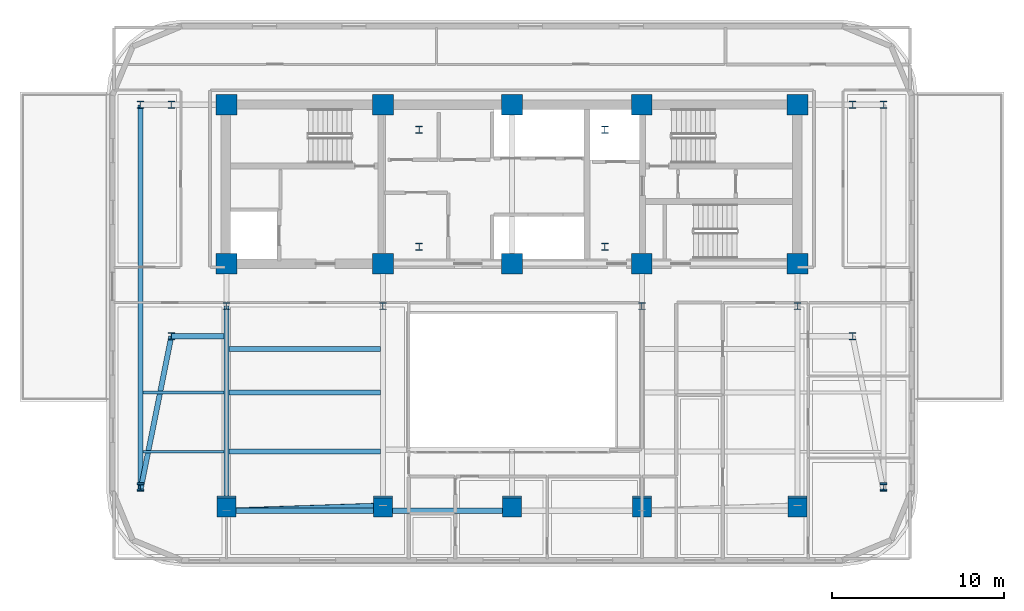
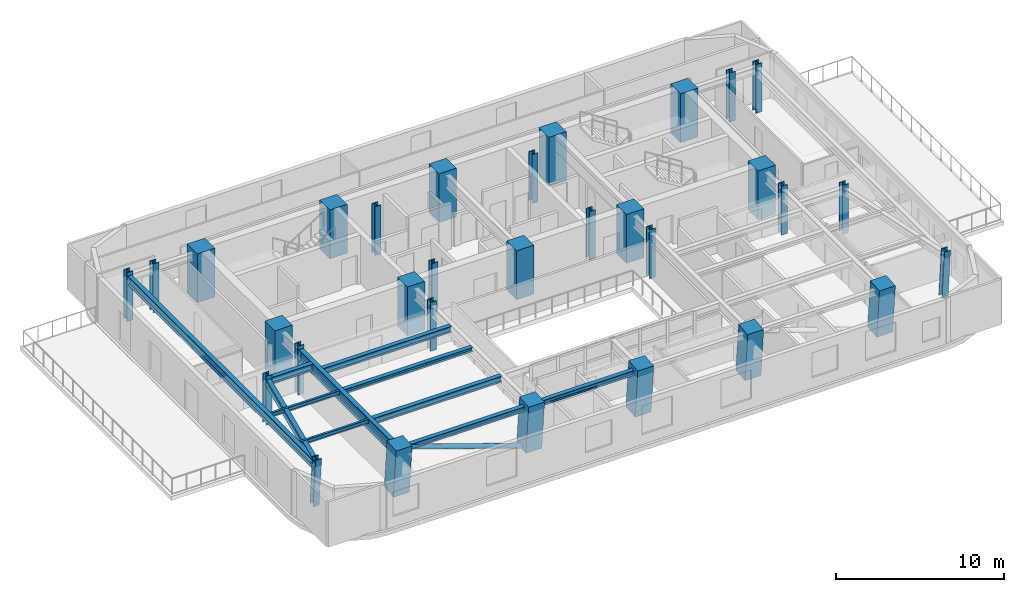
# One storey, part 1 of 13: 31 columns, 11 beams, 1 member.
"""IFC4 building model written with IfcOpenShell, lengths in metres."""

from ifc_helpers import new_model, si_unit, direction, frame, origin, origin_2d, place, context, subcontext, project, spatial, rectangle, hollow_circle, i_section, extrude, material, material_profile, profile_set, type_object, element, save


model = new_model("IFC4")

# Units and contexts
model_context = context("Model", 3, precision=1e-05, world=origin(), true_north=direction((0.0, 1.0)))
body_context = subcontext(model_context, "Body", "Model", "MODEL_VIEW")
ifc_project = project(units=[si_unit("LENGTHUNIT", "METRE"), si_unit("AREAUNIT", "SQUARE_METRE"), si_unit("VOLUMEUNIT", "CUBIC_METRE"), si_unit("PLANEANGLEUNIT", "RADIAN"), si_unit("MASSUNIT", "GRAM", prefix="KILO")], contexts=[model_context])

# Site, building, storey
site_placement = place(None, origin())
site = spatial("IfcSite", under=ifc_project, at=site_placement, CompositionType="ELEMENT")
building_placement = place(site_placement, origin())
building = spatial("IfcBuilding", under=site, at=building_placement, Name="Zarnavel Station Tower", CompositionType="ELEMENT")
storey_placement = place(building_placement, frame((0.0, 0.0, 137.699951171875)))
storey = spatial("IfcBuildingStorey", under=building, at=storey_placement, Name="L37", CompositionType="ELEMENT", Elevation=137.699951171875)

# Columns
ifc_material_1 = material(Name="Steel S355J2", Category="steel")
ifc_material_profile_1 = material_profile(ifc_material_1, i_section(OverallWidth=0.4130859375, OverallDepth=0.4150390625, WebThickness=0.030029296875, FlangeThickness=0.047119140625, FilletRadius=0.014892578125, at=origin_2d()), Name="HD400x347")
ifc_profile_set_1 = profile_set([ifc_material_profile_1], Name="Steel S355J2")
column_type_1 = type_object("IfcColumnType", Name="EC_HD347", PredefinedType="COLUMN", material=ifc_profile_set_1)
column_1_placement = place(storey_placement, frame((7.199951171875, 14.8876953125, 0.0), z_axis=(0.0, -0.079862380324, 0.996805898964), x_axis=(1.0, 0.0, 0.0)))
element("IfcColumn", 1, at=column_1_placement, inside=storey, type_object=column_type_1, Name="L37 Raked Wing Column 1", PredefinedType="COLUMN", context=body_context, shape_type="SweptSolid", body=[
    extrude(i_section(OverallWidth=0.4130859375, OverallDepth=0.4150390625, WebThickness=0.030029296875, FlangeThickness=0.047119140625, FilletRadius=0.014892578125, at=origin_2d()), origin(), (0.0, 0.0, 1.0), 3.5615234375),
])
column_2_placement = place(storey_placement, frame((7.199951171875, 37.050048828125, 0.0), z_axis=(0.0, 0.0, 1.0), x_axis=(1.0, 0.0, 0.0)))
element("IfcColumn", 2, at=column_2_placement, inside=storey, type_object=column_type_1, Name="L37 Outer Wing North Column 1", PredefinedType="COLUMN", context=body_context, shape_type="SweptSolid", body=[
    extrude(i_section(OverallWidth=0.4130859375, OverallDepth=0.4150390625, WebThickness=0.030029296875, FlangeThickness=0.047119140625, FilletRadius=0.014892578125, at=origin_2d()), origin(), (0.0, 0.0, 1.0), 3.550048828125),
])
column_3_placement = place(storey_placement, frame((50.39990234375, 14.8876953125, 0.0), z_axis=(0.0, -0.079862380324, 0.996805898964), x_axis=(1.0, 0.0, 0.0)))
element("IfcColumn", 3, at=column_3_placement, inside=storey, type_object=column_type_1, Name="L37 Raked Wing Column 2", PredefinedType="COLUMN", context=body_context, shape_type="SweptSolid", body=[
    extrude(i_section(OverallWidth=0.4130859375, OverallDepth=0.4150390625, WebThickness=0.030029296875, FlangeThickness=0.047119140625, FilletRadius=0.014892578125, at=origin_2d()), origin(), (0.0, 0.0, 1.0), 3.5615234375),
])
column_4_placement = place(storey_placement, frame((50.39990234375, 37.050048828125, 0.0), z_axis=(0.0, 0.0, 1.0), x_axis=(1.0, 0.0, 0.0)))
element("IfcColumn", 4, at=column_4_placement, inside=storey, type_object=column_type_1, Name="L37 Outer Wing North Column 2", PredefinedType="COLUMN", context=body_context, shape_type="SweptSolid", body=[
    extrude(i_section(OverallWidth=0.4130859375, OverallDepth=0.4150390625, WebThickness=0.030029296875, FlangeThickness=0.047119140625, FilletRadius=0.014892578125, at=origin_2d()), origin(), (0.0, 0.0, 1.0), 3.550048828125),
])
ifc_material_2 = material(Name="Steel S355J2", Category="steel")
ifc_material_profile_2 = material_profile(ifc_material_2, i_section(OverallWidth=0.4130859375, OverallDepth=0.4150390625, WebThickness=0.030029296875, FlangeThickness=0.047119140625, FilletRadius=0.014892578125, at=origin_2d()), Name="HD400x347")
ifc_profile_set_2 = profile_set([ifc_material_profile_2], Name="Steel S355J2")
column_type_2 = type_object("IfcColumnType", Name="IC_HD347", PredefinedType="COLUMN", material=ifc_profile_set_2)
for number, where, z_axis, x_axis, name in (
    (5, (23.39990234375, 28.800048828125, 0.0), (0.0, 0.0, 1.0), (1.0, 0.0, 0.0), "L37 Mast Spine Column 1"),
    (6, (34.199951171875, 28.800048828125, 0.0), (0.0, 0.0, 1.0), (1.0, 0.0, 0.0), "L37 Mast Spine Column 2"),
    (7, (34.199951171875, 35.60009765625, 0.0), (0.0, 0.0, 1.0), (1.0, 0.0, 0.0), "L37 Mast Spine Column 3"),
    (8, (23.39990234375, 35.60009765625, 0.0), (0.0, 0.0, 1.0), (1.0, 0.0, 0.0), "L37 Mast Spine Column 4"),
    (9, (12.199951171875, 25.35009765625, 0.0), (0.0, 0.0, 1.0), (1.0, 0.0, 0.0), "L37 Inner Spine Column 1"),
    (10, (21.300048828125, 25.35009765625, 0.0), (0.0, 0.0, 1.0), (1.0, 0.0, 0.0), "L37 Inner Spine Column 2"),
    (11, (36.35009765625, 25.35009765625, 0.0), (0.0, 0.0, 1.0), (1.0, 0.0, 0.0), "L37 Inner Spine Column 4"),
    (12, (45.39990234375, 25.35009765625, 0.0), (0.0, 0.0, 1.0), (1.0, 0.0, 0.0), "L37 Inner Spine Column 5"),
    (13, (9.0, 23.60009765625, 0.0), (0.0, 0.0, 1.0), (1.0, 0.0, 0.0), "L37 Inner Wing Spine Column 1-1"),
    (14, (9.0, 37.050048828125, 0.0), (0.0, 0.0, 1.0), (1.0, 0.0, 0.0), "L37 Inner Wing Spine Column 1-2"),
    (15, (48.60009765625, 23.60009765625, 0.0), (0.0, 0.0, 1.0), (1.0, 0.0, 0.0), "L37 Inner Wing Spine Column 2-1"),
    (16, (48.60009765625, 37.050048828125, 0.0), (0.0, 0.0, 1.0), (1.0, 0.0, 0.0), "L37 Inner Wing Spine Column 2-2"),
):
    element("IfcColumn", number, at=place(storey_placement, frame(where, z_axis=z_axis, x_axis=x_axis)), inside=storey, type_object=column_type_2, Name=name, PredefinedType="COLUMN", context=body_context, shape_type="SweptSolid", body=[
        extrude(i_section(OverallWidth=0.4130859375, OverallDepth=0.4150390625, WebThickness=0.030029296875, FlangeThickness=0.047119140625, FilletRadius=0.014892578125, at=origin_2d()), origin(), (0.0, 0.0, 1.0), 3.550048828125),
    ])
ifc_material_3 = material(Name="Concrete C50/60", Category="concrete")
ifc_material_profile_3 = material_profile(ifc_material_3, rectangle(XDim=1.199951171875, YDim=1.199951171875, at=origin_2d()), Name="RC1200x1200")
ifc_profile_set_3 = profile_set([ifc_material_profile_3], Name="Concrete C50/60")
column_type_3 = type_object("IfcColumnType", Name="IC_RC1200", PredefinedType="COLUMN", material=ifc_profile_set_3)
for number, where, z_axis, x_axis, name in (
    (17, (12.199951171875, 27.820068359375, 0.0), (0.0, 0.0, 1.0), (1.0, 0.0, 0.0), "L37 Core Spine Column 1-1"),
    (18, (12.199951171875, 37.050048828125, 0.0), (0.0, 0.0, 1.0), (1.0, 0.0, 0.0), "L37 Core Spine Column 1-2"),
    (19, (21.300048828125, 27.820068359375, 0.0), (0.0, 0.0, 1.0), (1.0, 0.0, 0.0), "L37 Core Spine Column 2-1"),
    (20, (21.300048828125, 37.050048828125, 0.0), (0.0, 0.0, 1.0), (1.0, 0.0, 0.0), "L37 Core Spine Column 2-2"),
    (21, (28.800048828125, 27.820068359375, 0.0), (0.0, 0.0, 1.0), (1.0, 0.0, 0.0), "L37 Core Spine Column 3-1"),
    (22, (28.800048828125, 37.050048828125, 0.0), (0.0, 0.0, 1.0), (1.0, 0.0, 0.0), "L37 Core Spine Column 3-2"),
    (23, (36.35009765625, 27.820068359375, 0.0), (0.0, 0.0, 1.0), (1.0, 0.0, 0.0), "L37 Core Spine Column 4-1"),
    (24, (36.35009765625, 37.050048828125, 0.0), (0.0, 0.0, 1.0), (1.0, 0.0, 0.0), "L37 Core Spine Column 4-2"),
    (25, (45.39990234375, 27.820068359375, 0.0), (0.0, 0.0, 1.0), (1.0, 0.0, 0.0), "L37 Core Spine Column 5-1"),
    (26, (45.39990234375, 37.050048828125, 0.0), (0.0, 0.0, 1.0), (1.0, 0.0, 0.0), "L37 Core Spine Column 5-2"),
):
    element("IfcColumn", number, at=place(storey_placement, frame(where, z_axis=z_axis, x_axis=x_axis)), inside=storey, type_object=column_type_3, Name=name, PredefinedType="COLUMN", context=body_context, shape_type="SweptSolid", body=[
        extrude(rectangle(XDim=1.199951171875, YDim=1.199951171875, at=origin_2d()), origin(), (0.0, 0.0, 1.0), 3.550048828125),
    ])
ifc_material_4 = material(Name="Concrete C50/60", Category="concrete")
ifc_material_profile_4 = material_profile(ifc_material_4, rectangle(XDim=1.10009765625, YDim=1.10009765625, at=origin_2d()), Name="RC1100x1100")
ifc_profile_set_4 = profile_set([ifc_material_profile_4], Name="Concrete C50/60")
column_type_4 = type_object("IfcColumnType", Name="MC_RC1100", PredefinedType="COLUMN", material=ifc_profile_set_4)
for number, where, z_axis, x_axis, name in (
    (27, (12.199951171875, 13.74951171875, 0.0), (0.0, -0.090202269788, 0.995923466199), (1.0, 0.0, 0.0), "L37 Raked South Mega-Column 1"),
    (28, (21.300048828125, 13.74951171875, 0.0), (0.0, -0.090202269788, 0.995923466199), (1.0, 0.0, 0.0), "L37 Raked South Mega-Column 2"),
    (29, (28.800048828125, 13.74951171875, 0.0), (0.0, -0.090202269788, 0.995923466199), (1.0, 0.0, 0.0), "L37 Raked South Mega-Column 3"),
    (30, (36.35009765625, 13.74951171875, 0.0), (0.0, -0.090202269788, 0.995923466199), (1.0, 0.0, 0.0), "L37 Raked South Mega-Column 4"),
    (31, (45.39990234375, 13.74951171875, 0.0), (0.0, -0.090202269788, 0.995923466199), (1.0, 0.0, 0.0), "L37 Raked South Mega-Column 5"),
):
    element("IfcColumn", number, at=place(storey_placement, frame(where, z_axis=z_axis, x_axis=x_axis)), inside=storey, type_object=column_type_4, Name=name, PredefinedType="COLUMN", context=body_context, shape_type="SweptSolid", body=[
        extrude(rectangle(XDim=1.10009765625, YDim=1.10009765625, at=origin_2d()), origin(), (0.0, 0.0, 1.0), 3.564697265625),
    ])

# Member
ifc_material_5 = material(Name="Steel S355J2", Category="steel")
ifc_material_profile_5 = material_profile(ifc_material_5, hollow_circle(Radius=0.161865234375, WallThickness=0.012451171875, at=origin_2d()), Name="CHS323.9x12.5")
ifc_profile_set_5 = profile_set([ifc_material_profile_5], Name="Steel S355J2")
member_type = type_object("IfcMemberType", Name="DB_EXT_CHS324", PredefinedType="BRACE", material=ifc_profile_set_5)
member_placement = place(storey_placement, frame((21.300048828125, 13.74951171875, 0.0), z_axis=(-0.93997940641, -0.030791298364, 0.339839096442), x_axis=(0.032739857023, -0.999463907183, 0.0)))
element("IfcMember", 32, at=member_placement, inside=storey, type_object=member_type, Name="L37 Persian Exterior Diagonal Frame Brace 1", PredefinedType="BRACE", context=body_context, shape_type="SweptSolid", body=[
    extrude(hollow_circle(Radius=0.161865234375, WallThickness=0.012451171875, at=origin_2d()), origin(), (0.0, 0.0, 1.0), 9.68115234375),
])

# Beams
ifc_material_6 = material(Name="Steel S355J2", Category="steel")
ifc_material_profile_6 = material_profile(ifc_material_6, i_section(OverallWidth=0.300048828125, OverallDepth=0.360107421875, WebThickness=0.012451171875, FlangeThickness=0.0224609375, FilletRadius=0.027099609375, at=origin_2d()), Name="HEB360")
ifc_profile_set_6 = profile_set([ifc_material_profile_6], Name="Steel S355J2")
beam_type_1 = type_object("IfcBeamType", Name="EB_HEB360", PredefinedType="SPANDREL", material=ifc_profile_set_6)
beam_1_placement = place(storey_placement, frame((12.199951171875, 13.451416015625, 3.110107421875), z_axis=(1.0, 0.0, 0.0), x_axis=(0.0, 1.0, 0.0)))
element("IfcBeam", 33, at=beam_1_placement, inside=storey, type_object=beam_type_1, Name="L37 South Raked Spandrel 1", PredefinedType="SPANDREL", context=body_context, shape_type="SweptSolid", body=[
    extrude(i_section(OverallWidth=0.300048828125, OverallDepth=0.360107421875, WebThickness=0.012451171875, FlangeThickness=0.0224609375, FilletRadius=0.027099609375, at=origin_2d()), origin(), (0.0, 0.0, 1.0), 9.10009765625),
])
beam_2_placement = place(storey_placement, frame((21.300048828125, 13.451416015625, 3.110107421875), z_axis=(1.0, 0.0, 0.0), x_axis=(0.0, 1.0, 0.0)))
element("IfcBeam", 34, at=beam_2_placement, inside=storey, type_object=beam_type_1, Name="L37 South Raked Spandrel 2", PredefinedType="SPANDREL", context=body_context, shape_type="SweptSolid", body=[
    extrude(i_section(OverallWidth=0.300048828125, OverallDepth=0.360107421875, WebThickness=0.012451171875, FlangeThickness=0.0224609375, FilletRadius=0.027099609375, at=origin_2d()), origin(), (0.0, 0.0, 1.0), 7.5),
])
ifc_material_7 = material(Name="Steel S355J2", Category="steel")
ifc_material_profile_7 = material_profile(ifc_material_7, i_section(OverallWidth=0.300048828125, OverallDepth=0.31005859375, WebThickness=0.009033203125, FlangeThickness=0.015380859375, FilletRadius=0.027099609375, at=origin_2d()), Name="HEA320")
ifc_profile_set_7 = profile_set([ifc_material_profile_7], Name="Steel S355J2")
beam_type_2 = type_object("IfcBeamType", Name="FB_HEA320", PredefinedType="BEAM", material=ifc_profile_set_7)
beam_3_placement = place(storey_placement, frame((12.344970703125, 20.32568359375, 3.135009765625), z_axis=(1.0, 0.0, 0.0), x_axis=(0.0, 1.0, 0.0)))
element("IfcBeam", 35, at=beam_3_placement, inside=storey, type_object=beam_type_2, Name="L37 West Bay Beam 2", PredefinedType="BEAM", context=body_context, shape_type="SweptSolid", body=[
    extrude(i_section(OverallWidth=0.300048828125, OverallDepth=0.31005859375, WebThickness=0.009033203125, FlangeThickness=0.015380859375, FilletRadius=0.027099609375, at=origin_2d()), origin(), (0.0, 0.0, 1.0), 8.81005859375),
])
ifc_material_8 = material(Name="Steel S355J2", Category="steel")
ifc_material_profile_8 = material_profile(ifc_material_8, i_section(OverallWidth=0.300048828125, OverallDepth=0.43994140625, WebThickness=0.011474609375, FlangeThickness=0.02099609375, FilletRadius=0.027099609375, at=origin_2d()), Name="HEA450")
ifc_profile_set_8 = profile_set([ifc_material_profile_8], Name="Steel S355J2")
beam_type_3 = type_object("IfcBeamType", Name="FB_HEA450", PredefinedType="BEAM", material=ifc_profile_set_8)
for number, where, z_axis, x_axis, name in (
    (36, (12.344970703125, 16.888671875, 3.070068359375), (1.0, 0.0, 0.0), (0.0, 1.0, 0.0), "L37 West Bay Beam 1"),
    (37, (12.344970703125, 22.86279296875, 3.070068359375), (1.0, 0.0, 0.0), (0.0, 1.0, 0.0), "L37 West Bay Beam 3"),
):
    element("IfcBeam", number, at=place(storey_placement, frame(where, z_axis=z_axis, x_axis=x_axis)), inside=storey, type_object=beam_type_3, Name=name, PredefinedType="BEAM", context=body_context, shape_type="SweptSolid", body=[
        extrude(i_section(OverallWidth=0.300048828125, OverallDepth=0.43994140625, WebThickness=0.011474609375, FlangeThickness=0.02099609375, FilletRadius=0.027099609375, at=origin_2d()), origin(), (0.0, 0.0, 1.0), 8.81005859375),
    ])
ifc_material_9 = material(Name="Steel S355J2", Category="steel")
ifc_material_profile_9 = material_profile(ifc_material_9, i_section(OverallWidth=0.300048828125, OverallDepth=0.5, WebThickness=0.014404296875, FlangeThickness=0.028076171875, FilletRadius=0.027099609375, at=origin_2d()), Name="HEB500")
ifc_profile_set_9 = profile_set([ifc_material_profile_9], Name="Steel S355J2")
beam_type_4 = type_object("IfcBeamType", Name="FG_HEB500", PredefinedType="USERDEFINED", material=ifc_profile_set_9)
beam_4_placement = place(storey_placement, frame((7.199951171875, 14.6240234375, 3.0400390625), z_axis=(0.196623828257, 0.980479000367, 0.0), x_axis=(-0.980479000367, 0.196623828257, 0.0)))
element("IfcBeam", 38, at=beam_4_placement, inside=storey, type_object=beam_type_4, Name="L37 West Wing South Tie 1", ObjectType="GIRDER", PredefinedType="USERDEFINED", context=body_context, shape_type="SweptSolid", body=[
    extrude(i_section(OverallWidth=0.300048828125, OverallDepth=0.5, WebThickness=0.014404296875, FlangeThickness=0.028076171875, FilletRadius=0.027099609375, at=origin_2d()), origin(), (0.0, 0.0, 1.0), 9.15478515625),
])
beam_5_placement = place(storey_placement, frame((9.0, 23.60009765625, 3.0400390625), z_axis=(1.0, 0.0, 0.0), x_axis=(0.0, 1.0, 0.0)))
element("IfcBeam", 39, at=beam_5_placement, inside=storey, type_object=beam_type_4, Name="L37 West Wing South Tie 2", ObjectType="GIRDER", PredefinedType="USERDEFINED", context=body_context, shape_type="SweptSolid", body=[
    extrude(i_section(OverallWidth=0.300048828125, OverallDepth=0.5, WebThickness=0.014404296875, FlangeThickness=0.028076171875, FilletRadius=0.027099609375, at=origin_2d()), origin(), (0.0, 0.0, 1.0), 3.054931640625),
])
ifc_material_10 = material(Name="Steel S355J2", Category="steel")
ifc_material_profile_10 = material_profile(ifc_material_10, i_section(OverallWidth=0.300048828125, OverallDepth=0.64990234375, WebThickness=0.01611328125, FlangeThickness=0.031005859375, FilletRadius=0.027099609375, at=origin_2d()), Name="HEB650")
ifc_profile_set_10 = profile_set([ifc_material_profile_10], Name="Steel S355J2")
beam_type_5 = type_object("IfcBeamType", Name="FG_HEB650", PredefinedType="USERDEFINED", material=ifc_profile_set_10)
beam_6_placement = place(storey_placement, frame((7.199951171875, 14.6240234375, 2.965087890625), z_axis=(0.0, 1.0, 0.0), x_axis=(-1.0, 0.0, 0.0)))
element("IfcBeam", 40, at=beam_6_placement, inside=storey, type_object=beam_type_5, Name="L37 Wing NS Girder 1", ObjectType="GIRDER", PredefinedType="USERDEFINED", context=body_context, shape_type="SweptSolid", body=[
    extrude(i_section(OverallWidth=0.300048828125, OverallDepth=0.64990234375, WebThickness=0.01611328125, FlangeThickness=0.031005859375, FilletRadius=0.027099609375, at=origin_2d()), origin(), (0.0, 0.0, 1.0), 22.426025390625),
])
ifc_material_11 = material(Name="Steel S460M", Category="steel")
ifc_material_profile_11 = material_profile(ifc_material_11, i_section(OverallWidth=0.302978515625, OverallDepth=0.81396484375, WebThickness=0.02099609375, FlangeThickness=0.0400390625, FilletRadius=0.030029296875, at=origin_2d()), Name="HEM800")
ifc_profile_set_11 = profile_set([ifc_material_profile_11], Name="Steel S460M")
beam_type_6 = type_object("IfcBeamType", Name="FG_HEM800", PredefinedType="USERDEFINED", material=ifc_profile_set_11)
beam_7_placement = place(storey_placement, frame((12.199951171875, 13.451416015625, 2.883056640625), z_axis=(0.0, 1.0, 0.0), x_axis=(-1.0, 0.0, 0.0)))
element("IfcBeam", 41, at=beam_7_placement, inside=storey, type_object=beam_type_6, Name="L37 South-Zone NS Girder 1", ObjectType="GIRDER", PredefinedType="USERDEFINED", context=body_context, shape_type="SweptSolid", body=[
    extrude(i_section(OverallWidth=0.302978515625, OverallDepth=0.81396484375, WebThickness=0.02099609375, FlangeThickness=0.0400390625, FilletRadius=0.030029296875, at=origin_2d()), origin(), (0.0, 0.0, 1.0), 11.898681640625),
])
ifc_material_12 = material(Name="Steel S355J2", Category="steel")
ifc_material_profile_12 = material_profile(ifc_material_12, i_section(OverallWidth=0.14990234375, OverallDepth=0.300048828125, WebThickness=0.007080078125, FlangeThickness=0.0107421875, FilletRadius=0.014892578125, at=origin_2d()), Name="IPE300")
ifc_profile_set_12 = profile_set([ifc_material_profile_12], Name="Steel S355J2")
beam_type_7 = type_object("IfcBeamType", Name="FJ_IPE300", PredefinedType="JOIST", material=ifc_profile_set_12)
for number, where, z_axis, x_axis, name in (
    (42, (7.344970703125, 16.888671875, 3.14013671875), (1.0, 0.0, 0.0), (0.0, 1.0, 0.0), "L37 West Wing Joist 1"),
    (43, (7.344970703125, 20.32568359375, 3.14013671875), (1.0, 0.0, 0.0), (0.0, 1.0, 0.0), "L37 West Wing Joist 2"),
):
    element("IfcBeam", number, at=place(storey_placement, frame(where, z_axis=z_axis, x_axis=x_axis)), inside=storey, type_object=beam_type_7, Name=name, PredefinedType="JOIST", context=body_context, shape_type="SweptSolid", body=[
        extrude(i_section(OverallWidth=0.14990234375, OverallDepth=0.300048828125, WebThickness=0.007080078125, FlangeThickness=0.0107421875, FilletRadius=0.014892578125, at=origin_2d()), origin(), (0.0, 0.0, 1.0), 4.7099609375),
    ])

save(model, "model.ifc")
